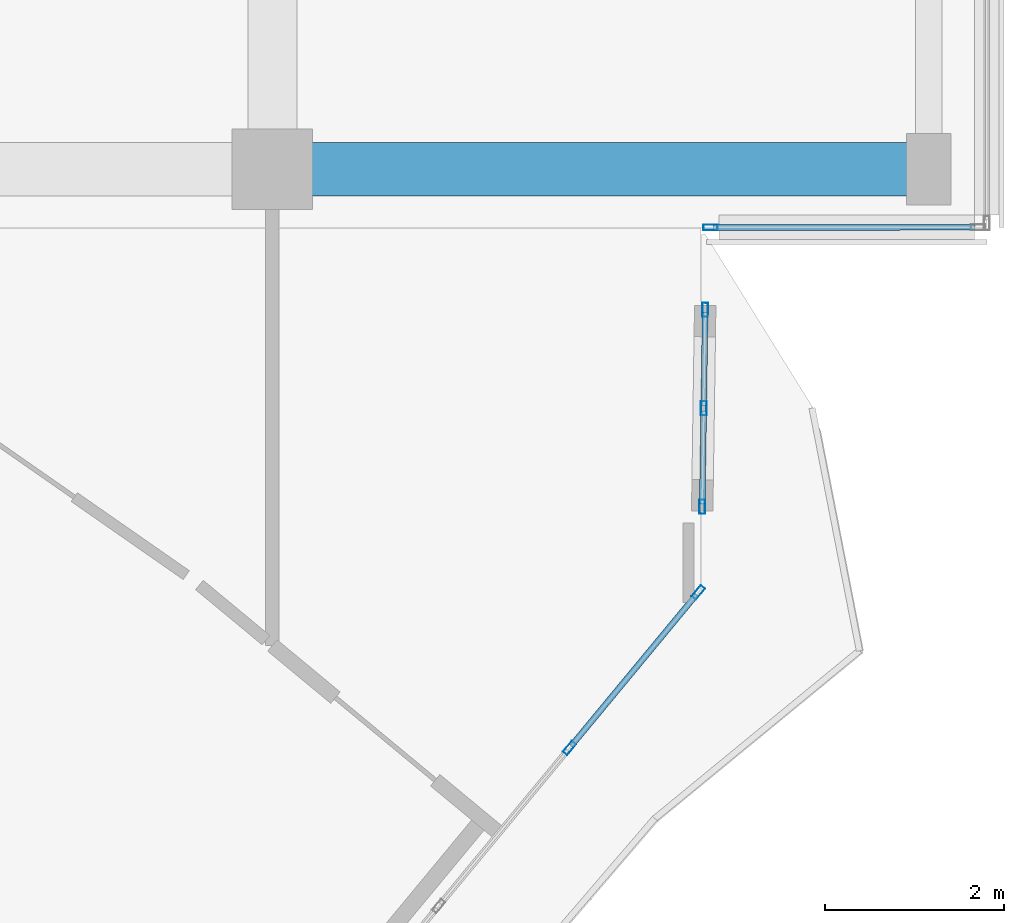
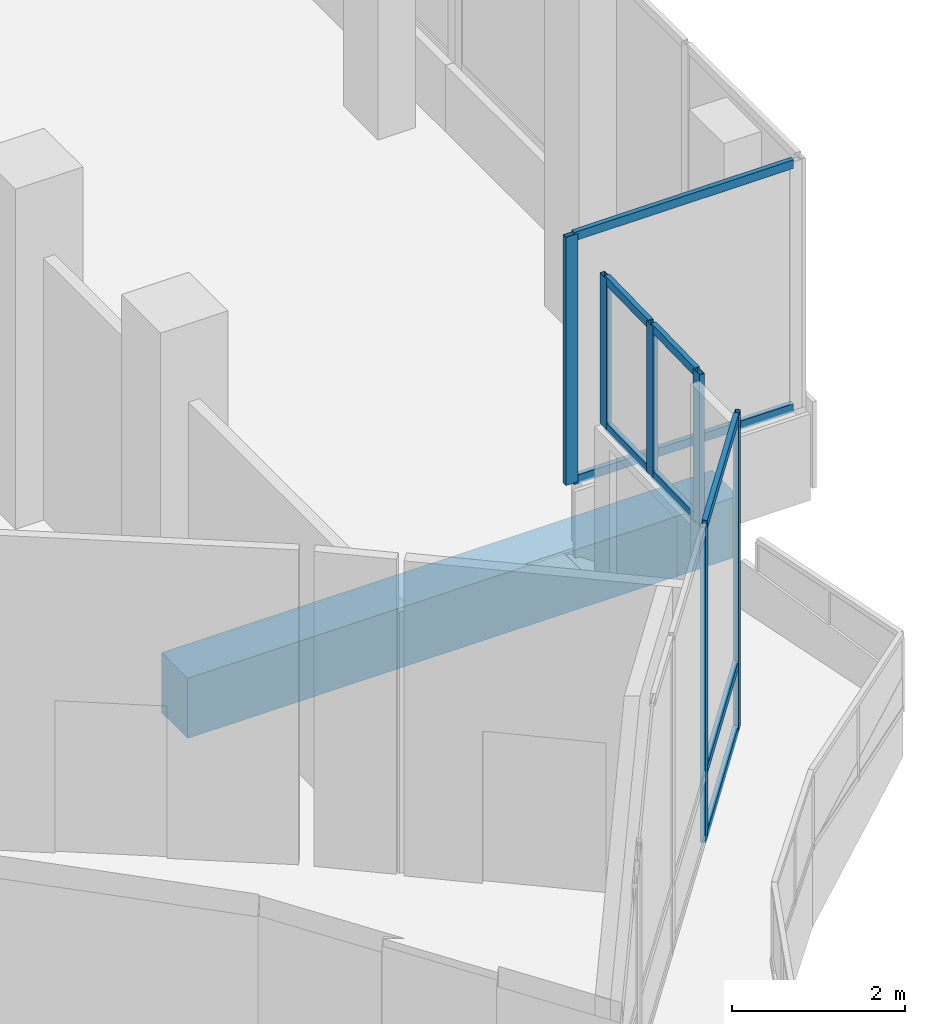
# One storey, part 107 of 168: 15 members, 1 beam, 3 elements without a shape of their own.
"""IFC4 building model written with IfcOpenShell, lengths in metres."""

from ifc_helpers import new_model, si_unit, direction, frame, origin, origin_2d, place, context, subcontext, project, spatial, rectangle, hollow_rectangle, extrude, material, material_profile, profile_set, type_object, element, aggregate, save


model = new_model("IFC4")

# Units and contexts
model_context = context("Model", 3, precision=1e-05, world=origin(), true_north=direction((0.0, 1.0)))
body_context = subcontext(model_context, "Body", "Model", "MODEL_VIEW")
ifc_project = project(units=[si_unit("LENGTHUNIT", "METRE"), si_unit("AREAUNIT", "SQUARE_METRE"), si_unit("VOLUMEUNIT", "CUBIC_METRE"), si_unit("PLANEANGLEUNIT", "RADIAN"), si_unit("MASSUNIT", "GRAM", prefix="KILO")], contexts=[model_context])

# Site, building, storey
site_placement = place(None, origin())
site = spatial("IfcSite", under=ifc_project, at=site_placement, CompositionType="ELEMENT")
building_placement = place(site_placement, origin())
building = spatial("IfcBuilding", under=site, at=building_placement, Name="Selatvlak General Hospital", CompositionType="ELEMENT")
storey_placement = place(building_placement, frame((0.0, 0.0, 5.39990234375)))
storey = spatial("IfcBuildingStorey", under=building, at=storey_placement, Name="L01", CompositionType="ELEMENT", Elevation=5.39990234375)

# Beam
ifc_material_1 = material(Name="Concrete C40/50", Category="concrete")
ifc_material_profile_1 = material_profile(ifc_material_1, rectangle(XDim=0.60009765625, YDim=0.85009765625, at=origin_2d()), Name="RC-BM 600x850")
ifc_profile_set_1 = profile_set([ifc_material_profile_1], Name="Concrete C40/50")
beam_type = type_object("IfcBeamType", Name="BM-G01", PredefinedType="BEAM", material=ifc_profile_set_1)
beam_placement = place(storey_placement, frame((174.0, 64.64990234375, -0.744873046875), z_axis=(1.0, 0.0, 0.0), x_axis=(0.0, 1.0, 0.0)))
element("IfcBeam", 1, at=beam_placement, inside=storey, type_object=beam_type, Name="Beam BMR-L01-0394", PredefinedType="BEAM", context=body_context, shape_type="SweptSolid", body=[
    extrude(rectangle(XDim=0.60009765625, YDim=0.85009765625, at=origin_2d()), origin(), (0.0, 0.0, 1.0), 7.35009765625),
])

# Curtain wall, member
ifc_material_2 = material(Name="Solar-control Low-E double glazing", Category="glass")
curtain_wall_type_1 = type_object("IfcCurtainWallType", Name="CW-CW-01", PredefinedType="USERDEFINED", material=ifc_material_2)
curtain_wall_1_placement = place(storey_placement, origin())
curtain_wall_1 = element("IfcCurtainWall", 2, at=curtain_wall_1_placement, inside=storey, type_object=curtain_wall_type_1, Name="Glazed facade curtain wall CW-L01-0139", ObjectType="UNITISED CURTAIN WALL", PredefinedType="USERDEFINED")
ifc_material_3 = material(Name="Dark anodised aluminium mullion", Category="aluminium")
ifc_material_profile_2 = material_profile(ifc_material_3, hollow_rectangle(XDim=0.06494140625, YDim=0.159912109375, WallThickness=0.00390625, at=origin_2d()), Name="AL-MUL 65x160x4")
ifc_profile_set_2 = profile_set([ifc_material_profile_2], Name="Dark anodised aluminium mullion")
member_type_1 = type_object("IfcMemberType", Name="CWM-01", PredefinedType="MULLION", material=ifc_profile_set_2)
member_1_placement = place(storey_placement, frame((178.907470703125, 64.0, 0.940185546875), z_axis=(0.0, 0.0, 1.0), x_axis=(0.000326797363, -0.999999946602, 0.0)))
member_1 = element("IfcMember", 3, at=member_1_placement, type_object=member_type_1, Name="CW-01 mullion 2", PredefinedType="MULLION", context=body_context, shape_type="SweptSolid", body=[
    extrude(hollow_rectangle(XDim=0.06494140625, YDim=0.159912109375, WallThickness=0.00390625, at=origin_2d()), origin(), (0.0, 0.0, 1.0), 3.5048828125),
])

# Curtain wall, members
curtain_wall_type_2 = type_object("IfcCurtainWallType", Name="CW-CW-02", PredefinedType="USERDEFINED", material=ifc_material_2)
curtain_wall_2_placement = place(storey_placement, origin())
curtain_wall_2 = element("IfcCurtainWall", 4, at=curtain_wall_2_placement, inside=storey, type_object=curtain_wall_type_2, Name="Glazed facade curtain wall CW-L01-0140", ObjectType="UNITISED CURTAIN WALL", PredefinedType="USERDEFINED")
member_2_placement = place(storey_placement, frame((178.846435546875, 63.077392578125, 2.320068359375), z_axis=(0.0, 0.0, 1.0), x_axis=(0.999887849023, -0.014976293782, 0.0)))
member_2 = element("IfcMember", 5, at=member_2_placement, type_object=member_type_1, Name="CW-02 mullion 1", PredefinedType="MULLION", context=body_context, shape_type="SweptSolid", body=[
    extrude(hollow_rectangle(XDim=0.06494140625, YDim=0.159912109375, WallThickness=0.00390625, at=origin_2d()), origin(), (0.0, 0.0, 1.0), 2.125),
])
member_3_placement = place(storey_placement, frame((178.830078125, 61.97509765625, 2.320068359375), z_axis=(0.0, 0.0, 1.0), x_axis=(0.999887849023, -0.014976293782, 0.0)))
member_3 = element("IfcMember", 6, at=member_3_placement, type_object=member_type_1, Name="CW-02 mullion 2", PredefinedType="MULLION", context=body_context, shape_type="SweptSolid", body=[
    extrude(hollow_rectangle(XDim=0.06494140625, YDim=0.159912109375, WallThickness=0.00390625, at=origin_2d()), origin(), (0.0, 0.0, 1.0), 2.125),
])
member_4_placement = place(storey_placement, frame((178.8134765625, 60.87255859375, 2.320068359375), z_axis=(0.0, 0.0, 1.0), x_axis=(0.999887849023, -0.014976293782, 0.0)))
member_4 = element("IfcMember", 7, at=member_4_placement, type_object=member_type_1, Name="CW-02 mullion 3", PredefinedType="MULLION", context=body_context, shape_type="SweptSolid", body=[
    extrude(hollow_rectangle(XDim=0.06494140625, YDim=0.159912109375, WallThickness=0.00390625, at=origin_2d()), origin(), (0.0, 0.0, 1.0), 2.125),
])

curtain_wall_3_placement = place(storey_placement, origin())
curtain_wall_3 = element("IfcCurtainWall", 8, at=curtain_wall_3_placement, inside=storey, type_object=curtain_wall_type_1, Name="Glazed facade curtain wall CW-L01-0141", ObjectType="UNITISED CURTAIN WALL", PredefinedType="USERDEFINED")
member_5_placement = place(storey_placement, frame((178.769287109375, 59.9130859375, 0.0), z_axis=(0.0, 0.0, 1.0), x_axis=(0.770276263968, -0.637710339549, 0.0)))
member_5 = element("IfcMember", 9, at=member_5_placement, type_object=member_type_1, Name="CW-01 mullion 1", PredefinedType="MULLION", context=body_context, shape_type="SweptSolid", body=[
    extrude(hollow_rectangle(XDim=0.06494140625, YDim=0.159912109375, WallThickness=0.00390625, at=origin_2d()), origin(), (0.0, 0.0, 1.0), 4.445068359375),
])
member_6_placement = place(storey_placement, frame((177.325927734375, 58.169677734375, 0.0), z_axis=(0.0, 0.0, 1.0), x_axis=(0.770276263968, -0.637710339549, 0.0)))
member_6 = element("IfcMember", 10, at=member_6_placement, type_object=member_type_1, Name="CW-01 mullion 2", PredefinedType="MULLION", context=body_context, shape_type="SweptSolid", body=[
    extrude(hollow_rectangle(XDim=0.06494140625, YDim=0.159912109375, WallThickness=0.00390625, at=origin_2d()), origin(), (0.0, 0.0, 1.0), 4.445068359375),
])

# Member
ifc_material_profile_3 = material_profile(ifc_material_3, hollow_rectangle(XDim=0.06494140625, YDim=0.1201171875, WallThickness=0.00390625, at=origin_2d()), Name="AL-TRN 65x120x4")
ifc_profile_set_3 = profile_set([ifc_material_profile_3], Name="Dark anodised aluminium mullion")
member_type_2 = type_object("IfcMemberType", Name="CWT-01", PredefinedType="USERDEFINED", material=ifc_profile_set_3)
member_7_placement = place(storey_placement, frame((181.8701171875, 64.0009765625, 0.97265625), z_axis=(-0.999999944463, -0.000333277769, 0.0), x_axis=(0.000333277769, -0.999999944463, 0.0)))
member_7 = element("IfcMember", 11, at=member_7_placement, type_object=member_type_2, Name="CW-01 transom 1.1", ObjectType="TRANSOM", PredefinedType="USERDEFINED", context=body_context, shape_type="SweptSolid", body=[
    extrude(hollow_rectangle(XDim=0.06494140625, YDim=0.1201171875, WallThickness=0.00390625, at=origin_2d()), origin(), (0.0, 0.0, 1.0), 2.93017578125),
])

member_8_placement = place(storey_placement, frame((181.8701171875, 64.0009765625, 4.41259765625), z_axis=(-0.999999944463, -0.000333277769, 0.0), x_axis=(0.000333277769, -0.999999944463, 0.0)))
member_8 = element("IfcMember", 12, at=member_8_placement, type_object=member_type_2, Name="CW-01 transom 1.2", ObjectType="TRANSOM", PredefinedType="USERDEFINED", context=body_context, shape_type="SweptSolid", body=[
    extrude(hollow_rectangle(XDim=0.06494140625, YDim=0.1201171875, WallThickness=0.00390625, at=origin_2d()), origin(), (0.0, 0.0, 1.0), 2.93017578125),
])

aggregate(curtain_wall_1, [member_1, member_7, member_8])

member_9_placement = place(storey_placement, frame((178.845947265625, 63.044921875, 2.3525390625), z_axis=(-0.014825388601, -0.999890097887, 0.0), x_axis=(0.999890097887, -0.014825388601, 0.0)))
member_9 = element("IfcMember", 13, at=member_9_placement, type_object=member_type_2, Name="CW-02 transom 1.1", ObjectType="TRANSOM", PredefinedType="USERDEFINED", context=body_context, shape_type="SweptSolid", body=[
    extrude(hollow_rectangle(XDim=0.06494140625, YDim=0.1201171875, WallThickness=0.00390625, at=origin_2d()), origin(), (0.0, 0.0, 1.0), 1.037353515625),
])

member_10_placement = place(storey_placement, frame((178.845947265625, 63.044921875, 4.41259765625), z_axis=(-0.014825388601, -0.999890097887, 0.0), x_axis=(0.999890097887, -0.014825388601, 0.0)))
member_10 = element("IfcMember", 14, at=member_10_placement, type_object=member_type_2, Name="CW-02 transom 1.2", ObjectType="TRANSOM", PredefinedType="USERDEFINED", context=body_context, shape_type="SweptSolid", body=[
    extrude(hollow_rectangle(XDim=0.06494140625, YDim=0.1201171875, WallThickness=0.00390625, at=origin_2d()), origin(), (0.0, 0.0, 1.0), 1.037353515625),
])

member_11_placement = place(storey_placement, frame((178.82958984375, 61.9423828125, 2.3525390625), z_axis=(-0.01506065927, -0.999886581839, 0.0), x_axis=(0.999886581839, -0.01506065927, 0.0)))
member_11 = element("IfcMember", 15, at=member_11_placement, type_object=member_type_2, Name="CW-02 transom 2.1", ObjectType="TRANSOM", PredefinedType="USERDEFINED", context=body_context, shape_type="SweptSolid", body=[
    extrude(hollow_rectangle(XDim=0.06494140625, YDim=0.1201171875, WallThickness=0.00390625, at=origin_2d()), origin(), (0.0, 0.0, 1.0), 1.037353515625),
])

member_12_placement = place(storey_placement, frame((178.82958984375, 61.9423828125, 4.41259765625), z_axis=(-0.01506065927, -0.999886581839, 0.0), x_axis=(0.999886581839, -0.01506065927, 0.0)))
member_12 = element("IfcMember", 16, at=member_12_placement, type_object=member_type_2, Name="CW-02 transom 2.2", ObjectType="TRANSOM", PredefinedType="USERDEFINED", context=body_context, shape_type="SweptSolid", body=[
    extrude(hollow_rectangle(XDim=0.06494140625, YDim=0.1201171875, WallThickness=0.00390625, at=origin_2d()), origin(), (0.0, 0.0, 1.0), 1.037353515625),
])

aggregate(curtain_wall_2, [member_2, member_3, member_4, member_9, member_10, member_11, member_12])

member_13_placement = place(storey_placement, frame((178.74853515625, 59.887939453125, 0.03271484375), z_axis=(-0.637690440999, -0.770292737508, 0.0), x_axis=(0.770292737508, -0.637690440999, 0.0)))
member_13 = element("IfcMember", 17, at=member_13_placement, type_object=member_type_2, Name="CW-01 transom 1.1", ObjectType="TRANSOM", PredefinedType="USERDEFINED", context=body_context, shape_type="SweptSolid", body=[
    extrude(hollow_rectangle(XDim=0.06494140625, YDim=0.1201171875, WallThickness=0.00390625, at=origin_2d()), origin(), (0.0, 0.0, 1.0), 2.1982421875),
])

member_14_placement = place(storey_placement, frame((178.74853515625, 59.887939453125, 0.9501953125), z_axis=(-0.637690440999, -0.770292737508, 0.0), x_axis=(0.770292737508, -0.637690440999, 0.0)))
member_14 = element("IfcMember", 18, at=member_14_placement, type_object=member_type_2, Name="CW-01 transom 1.2", ObjectType="TRANSOM", PredefinedType="USERDEFINED", context=body_context, shape_type="SweptSolid", body=[
    extrude(hollow_rectangle(XDim=0.06494140625, YDim=0.1201171875, WallThickness=0.00390625, at=origin_2d()), origin(), (0.0, 0.0, 1.0), 2.1982421875),
])

member_15_placement = place(storey_placement, frame((178.74853515625, 59.887939453125, 4.41259765625), z_axis=(-0.637690440999, -0.770292737508, 0.0), x_axis=(0.770292737508, -0.637690440999, 0.0)))
member_15 = element("IfcMember", 19, at=member_15_placement, type_object=member_type_2, Name="CW-01 transom 1.3", ObjectType="TRANSOM", PredefinedType="USERDEFINED", context=body_context, shape_type="SweptSolid", body=[
    extrude(hollow_rectangle(XDim=0.06494140625, YDim=0.1201171875, WallThickness=0.00390625, at=origin_2d()), origin(), (0.0, 0.0, 1.0), 2.1982421875),
])

aggregate(curtain_wall_3, [member_5, member_6, member_13, member_14, member_15])

save(model, "model.ifc")
